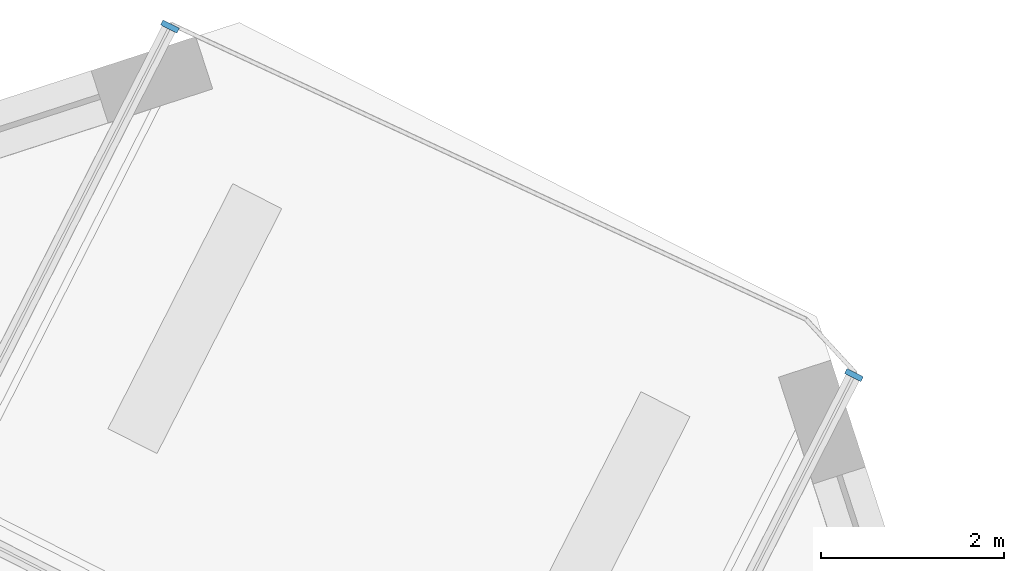
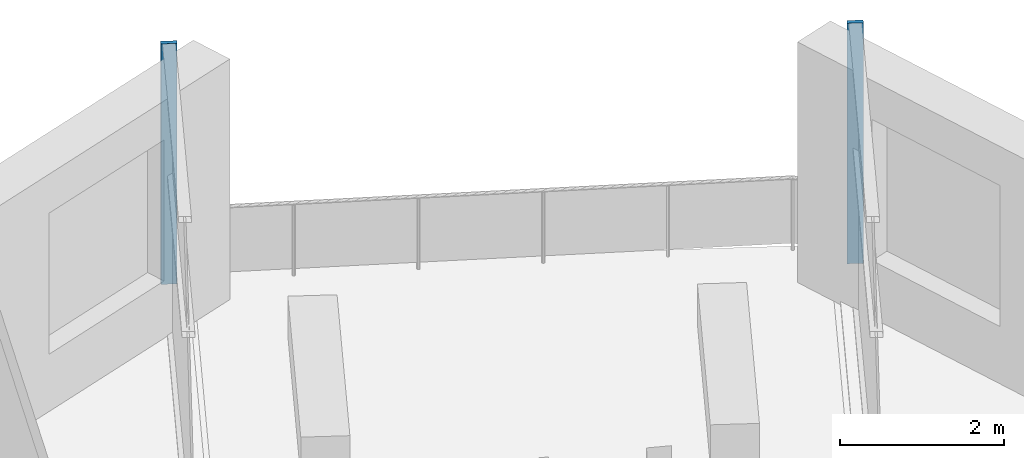
# One storey, part 4 of 12: 2 members, 2 elements without a shape of their own.
"""IFC4 building model written with IfcOpenShell, lengths in metres."""

from ifc_helpers import new_model, si_unit, direction, frame, origin, origin_2d, place, context, subcontext, project, spatial, rectangle, extrude, material, material_profile, profile_set, type_object, element, aggregate, save


model = new_model("IFC4")

# Units and contexts
model_context = context("Model", 3, precision=1e-05, world=origin(), true_north=direction((0.0, 1.0)))
body_context = subcontext(model_context, "Body", "Model", "MODEL_VIEW")
ifc_project = project(units=[si_unit("LENGTHUNIT", "METRE"), si_unit("AREAUNIT", "SQUARE_METRE"), si_unit("VOLUMEUNIT", "CUBIC_METRE"), si_unit("PLANEANGLEUNIT", "RADIAN"), si_unit("MASSUNIT", "GRAM", prefix="KILO")], contexts=[model_context])

# Site, building, storey
site_placement = place(None, origin())
site = spatial("IfcSite", under=ifc_project, at=site_placement, CompositionType="ELEMENT")
building_placement = place(site_placement, origin())
building = spatial("IfcBuilding", under=site, at=building_placement, Name="Dilmun Exchange Tower", CompositionType="ELEMENT")
storey_placement = place(building_placement, frame((0.0, 0.0, 90.10009765625)))
storey = spatial("IfcBuildingStorey", under=building, at=storey_placement, Name="L20", CompositionType="ELEMENT", Elevation=90.10009765625)

# Curtain wall, member
ifc_material_1 = material(Name="Anodised aluminium and clear glass", Category="aluminium")
curtain_wall_type = type_object("IfcCurtainWallType", Name="Garden corner glazing", PredefinedType="NOTDEFINED", material=ifc_material_1)
curtain_wall_1_placement = place(storey_placement, origin())
curtain_wall_1 = element("IfcCurtainWall", 1, at=curtain_wall_1_placement, inside=storey, type_object=curtain_wall_type, Name="Garden corner glazing run GC1.1", PredefinedType="NOTDEFINED")
ifc_material_2 = material(Name="Anodised aluminium", Category="aluminium")
ifc_material_profile = material_profile(ifc_material_2, rectangle(XDim=0.199951171875, YDim=0.06005859375, at=origin_2d()), Name="AL 60x200")
ifc_profile_set = profile_set([ifc_material_profile], Name="Anodised aluminium")
member_type = type_object("IfcMemberType", Name="Garden corner glazing mullion 60 x 200", PredefinedType="MULLION", material=ifc_profile_set)
member_1_placement = place(storey_placement, frame((21.83251953125, 30.50634765625, 0.0), z_axis=(0.0, 0.0, 1.0), x_axis=(0.891007485315, -0.453988613418, 0.0)))
member_1 = element("IfcMember", 2, at=member_1_placement, type_object=member_type, Name="GC1.1 mullion 1", PredefinedType="MULLION", context=body_context, shape_type="SweptSolid", body=[
    extrude(rectangle(XDim=0.199951171875, YDim=0.06005859375, at=origin_2d()), origin(), (0.0, 0.0, 1.0), 3.579833984375),
])
aggregate(curtain_wall_1, [member_1])

curtain_wall_2_placement = place(storey_placement, origin())
curtain_wall_2 = element("IfcCurtainWall", 3, at=curtain_wall_2_placement, inside=storey, type_object=curtain_wall_type, Name="Garden corner glazing run GC3.1", PredefinedType="NOTDEFINED")
member_2_placement = place(storey_placement, frame((14.367431640625, 34.31005859375, 0.0), z_axis=(0.0, 0.0, 1.0), x_axis=(-0.891007485315, 0.453988613418, 0.0)))
member_2 = element("IfcMember", 4, at=member_2_placement, type_object=member_type, Name="GC3.1 mullion 2", PredefinedType="MULLION", context=body_context, shape_type="SweptSolid", body=[
    extrude(rectangle(XDim=0.199951171875, YDim=0.06005859375, at=origin_2d()), origin(), (0.0, 0.0, 1.0), 3.579833984375),
])
aggregate(curtain_wall_2, [member_2])

save(model, "model.ifc")
